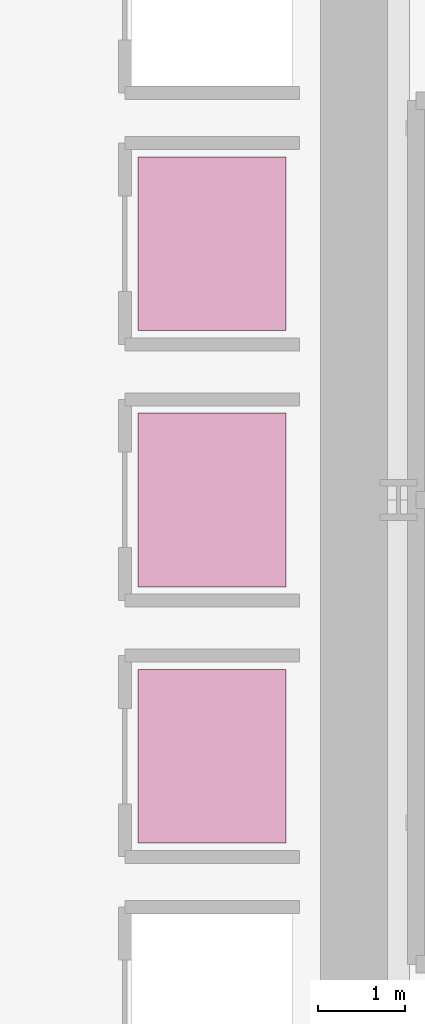
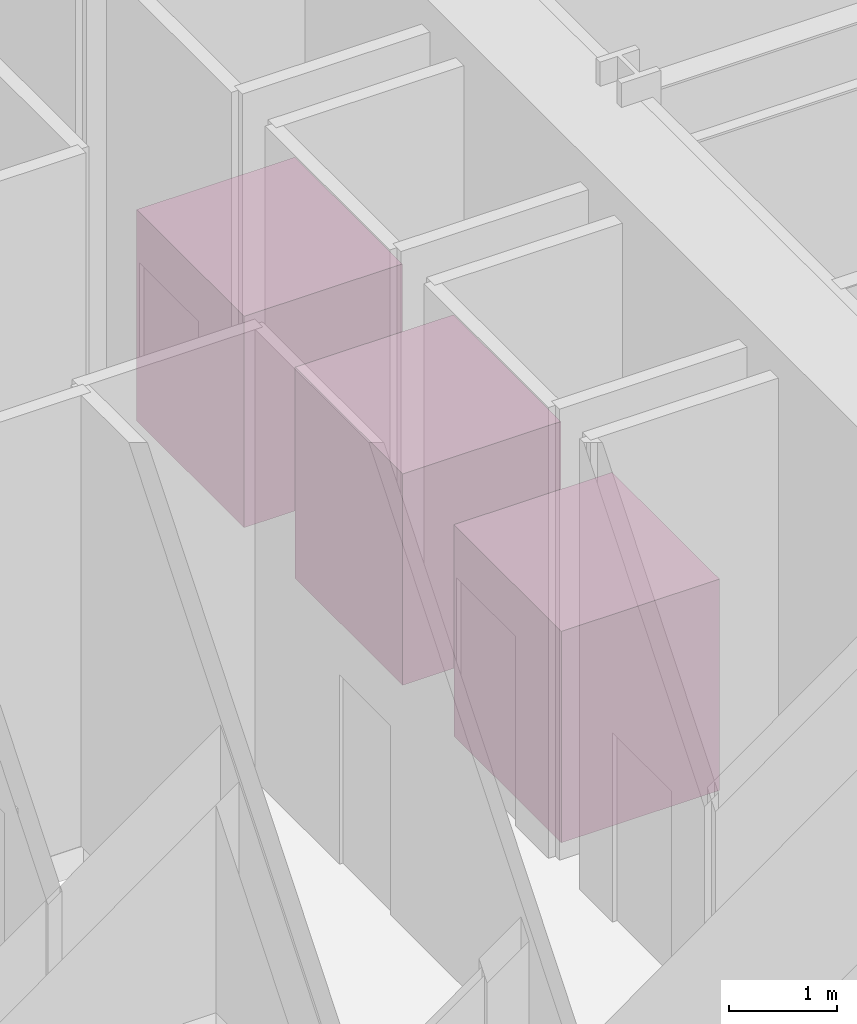
# One storey, part 27 of 27: 3 transport elements.
"""IFC4 building model written with IfcOpenShell, lengths in metres."""

from ifc_helpers import new_model, si_unit, direction, frame, origin, origin_2d, place, context, subcontext, project, spatial, rectangle, extrude, material, type_object, element, save


model = new_model("IFC4")

# Units and contexts
model_context = context("Model", 3, precision=1e-05, world=origin(), true_north=direction((0.0, 1.0)))
body_context = subcontext(model_context, "Body", "Model", "MODEL_VIEW")
ifc_project = project(units=[si_unit("LENGTHUNIT", "METRE"), si_unit("AREAUNIT", "SQUARE_METRE"), si_unit("VOLUMEUNIT", "CUBIC_METRE"), si_unit("PLANEANGLEUNIT", "RADIAN"), si_unit("MASSUNIT", "GRAM", prefix="KILO")], contexts=[model_context])

# Site, building, storey
site_placement = place(None, origin())
site = spatial("IfcSite", under=ifc_project, at=site_placement, CompositionType="ELEMENT")
building_placement = place(site_placement, origin())
building = spatial("IfcBuilding", under=site, at=building_placement, Name="Veymaron Broadcast Tower", CompositionType="ELEMENT")
storey_placement = place(building_placement, origin())
storey = spatial("IfcBuildingStorey", under=building, at=storey_placement, Name="L00", CompositionType="ELEMENT", Elevation=0.0)

# Transport elements
ifc_material = material(Name="Brushed stainless steel AISI 304", Category="steel")
transport_element_type_1 = type_object("IfcTransportElementType", Name="LIFT-PM1", PredefinedType="ELEVATOR", material=ifc_material)
transport_element_1_placement = place(storey_placement, frame((52.449951171875, 26.949951171875, 0.0), z_axis=(0.0, 0.0, 1.0), x_axis=(1.0, 0.0, 0.0)))
element("IfcTransportElement", 1, at=transport_element_1_placement, inside=storey, type_object=transport_element_type_1, Name="Lower-mid passenger lift PM1", PredefinedType="ELEVATOR", context=body_context, shape_type="SweptSolid", body=[
    extrude(rectangle(XDim=1.699951171875, YDim=2.0, at=origin_2d()), origin(), (0.0, 0.0, 1.0), 2.39990234375),
])
transport_element_type_2 = type_object("IfcTransportElementType", Name="LIFT-PM2", PredefinedType="ELEVATOR", material=ifc_material)
transport_element_2_placement = place(storey_placement, frame((52.449951171875, 21.050048828125, 0.0), z_axis=(0.0, 0.0, 1.0), x_axis=(1.0, 0.0, 0.0)))
element("IfcTransportElement", 2, at=transport_element_2_placement, inside=storey, type_object=transport_element_type_2, Name="Lower-mid passenger lift PM2", PredefinedType="ELEVATOR", context=body_context, shape_type="SweptSolid", body=[
    extrude(rectangle(XDim=1.699951171875, YDim=2.0, at=origin_2d()), origin(), (0.0, 0.0, 1.0), 2.39990234375),
])
transport_element_type_3 = type_object("IfcTransportElementType", Name="LIFT-PM3", PredefinedType="ELEVATOR", material=ifc_material)
transport_element_3_placement = place(storey_placement, frame((52.449951171875, 24.0, 0.0), z_axis=(0.0, 0.0, 1.0), x_axis=(1.0, 0.0, 0.0)))
element("IfcTransportElement", 3, at=transport_element_3_placement, inside=storey, type_object=transport_element_type_3, Name="Upper-mid passenger lift PM3", PredefinedType="ELEVATOR", context=body_context, shape_type="SweptSolid", body=[
    extrude(rectangle(XDim=1.699951171875, YDim=2.0, at=origin_2d()), origin(), (0.0, 0.0, 1.0), 2.39990234375),
])

save(model, "model.ifc")
